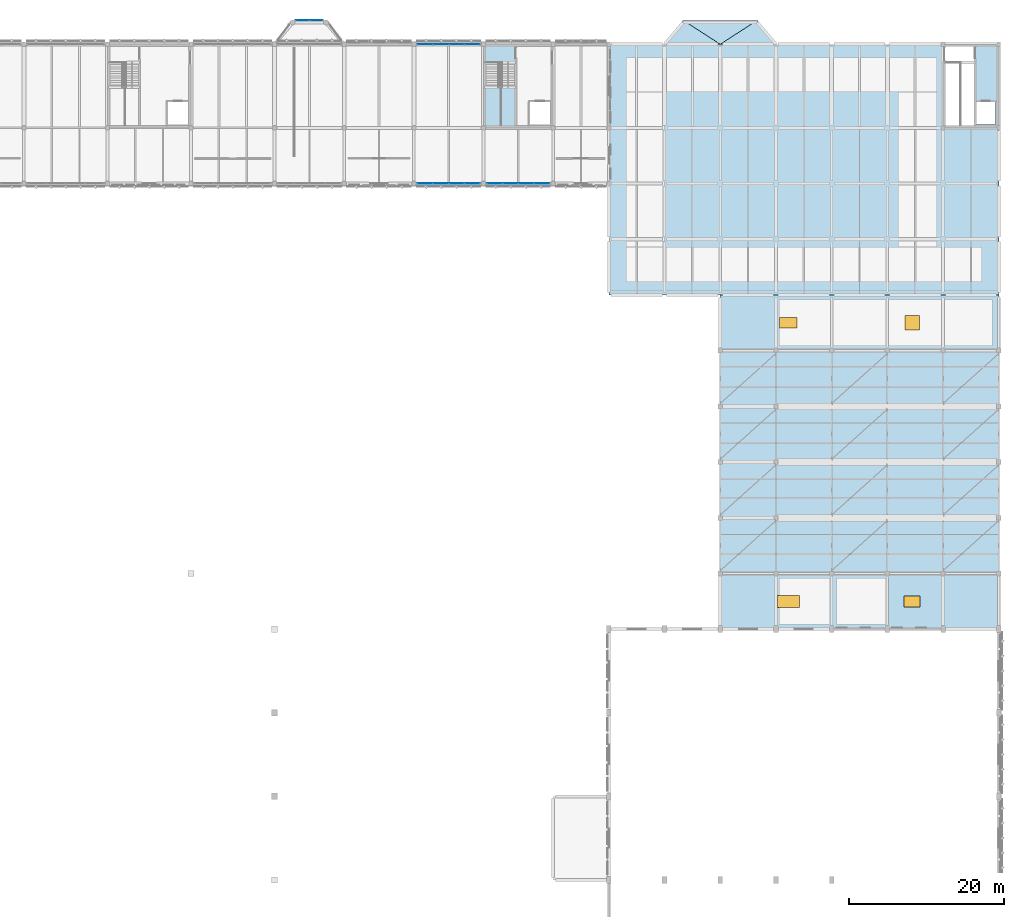
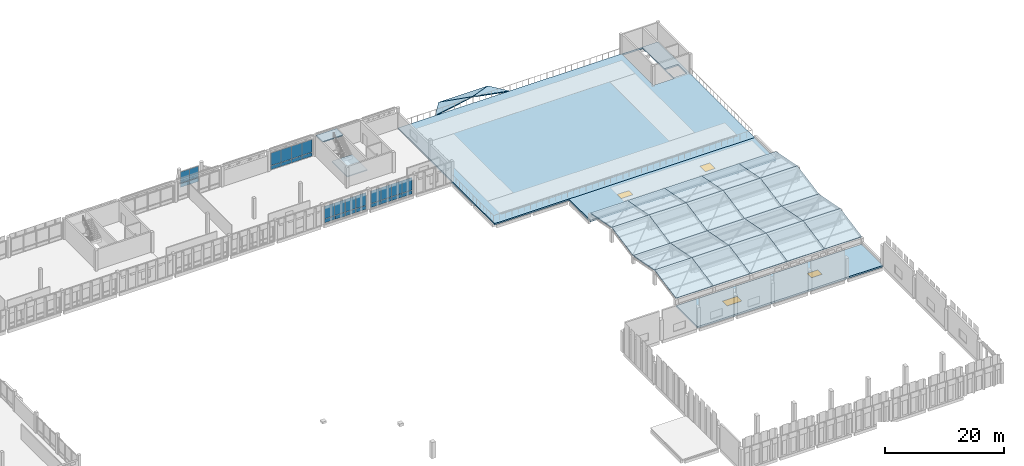
# One storey, part 52 of 72: 28 plates, 28 slabs, 4 windows, 4 openings, 5 elements without a shape of their own.
"""IFC4 building model written with IfcOpenShell, lengths in metres."""

import ifcopenshell
import ifcopenshell.guid

model = None  # the IFC model being written
_history = None  # IfcOwnerHistory: only IFC2X3 demands one
_inside = {}  # id of a spatial element -> (the spatial element, [elements in it])
_under = {}  # id of a project, library or spatial element -> (it, [spatial elements below it])
_declared = {}  # id of a project -> (the project, [libraries it declares])
_typed = {}  # id of a type object -> (the type object, [elements of that type])
_made_of = {}  # id of a material, layer set ... -> (it, [elements and type objects made of it])


def new_model(schema):
    """Start an empty IFC model of exactly this schema.

    Asked for "IFC4X3", IfcOpenShell would pick the latest addendum, in which some entities
    have other attributes; the version numbers below select the first issue.
    IFC2X3 requires an IfcOwnerHistory on every rooted entity: one is made here for all.
    """
    global model, _history
    if schema == "IFC4X3":
        model = ifcopenshell.file(schema_version=(4, 3, 0, 0))
    else:
        model = ifcopenshell.file(schema=schema)
    _inside.clear()
    _under.clear()
    _declared.clear()
    _typed.clear()
    _made_of.clear()
    _history = None
    if model.schema == "IFC2X3":
        org = make("IfcOrganization", Name="unknown")
        user = make(
            "IfcPersonAndOrganization",
            ThePerson=make("IfcPerson", FamilyName="unknown"),
            TheOrganization=org,
        )
        app = make(
            "IfcApplication",
            ApplicationDeveloper=org,
            Version="unknown",
            ApplicationFullName="unknown",
            ApplicationIdentifier="unknown",
        )
        _history = make(
            "IfcOwnerHistory",
            OwningUser=user,
            OwningApplication=app,
            ChangeAction="ADDED",
            CreationDate=0,
        )
    return model


def make(cls, **values):
    """One entity of the class cls with the attributes given. An attribute that is None is left unset."""
    return model.create_entity(
        cls, **{name: value for name, value in values.items() if value is not None}
    )


def rooted(cls, **values):
    """An entity with a GlobalId (a new one), such as an element, a storey or a relation."""
    return make(cls, GlobalId=ifcopenshell.guid.new(), OwnerHistory=_history, **values)


def si_unit(unit_type, name, prefix=None):
    """IfcSIUnit, for example si_unit("LENGTHUNIT", "METRE", prefix="MILLI")."""
    return make("IfcSIUnit", UnitType=unit_type, Prefix=prefix, Name=name)


def assignment(units):
    """IfcUnitAssignment: the units of a project."""
    return None if units is None else make("IfcUnitAssignment", Units=units)


def point(xyz):
    """IfcCartesianPoint."""
    return None if xyz is None else make("IfcCartesianPoint", Coordinates=xyz)


def direction(xyz):
    """IfcDirection."""
    return None if xyz is None else make("IfcDirection", DirectionRatios=xyz)


def frame(location, z_axis=None, x_axis=None):
    """IfcAxis2Placement3D, a coordinate frame: its origin and axes. An axis left out is left unset."""
    return make(
        "IfcAxis2Placement3D",
        Location=point(location),
        Axis=direction(z_axis),
        RefDirection=direction(x_axis),
    )


def frame_2d(location, x_axis=None):
    """IfcAxis2Placement2D, a coordinate frame in the plane: its origin and x axis."""
    return make(
        "IfcAxis2Placement2D", Location=point(location), RefDirection=direction(x_axis)
    )


def origin():
    """The frame at (0, 0, 0) with its axes left unset."""
    return frame((0.0, 0.0, 0.0))


def origin_2d():
    """The frame at (0, 0) in the plane with its x axis left unset."""
    return frame_2d((0.0, 0.0))


def place(relative_to, where):
    """IfcLocalPlacement: puts the frame where relative to a parent placement (None: the world)."""
    return make(
        "IfcLocalPlacement", PlacementRelTo=relative_to, RelativePlacement=where
    )


def context(
    kind, dimensions, precision=None, world=None, true_north=None, identifier=None
):
    """IfcGeometricRepresentationContext, for example the 3D "Model" context."""
    return make(
        "IfcGeometricRepresentationContext",
        ContextIdentifier=identifier,
        ContextType=kind,
        CoordinateSpaceDimension=dimensions,
        Precision=precision,
        WorldCoordinateSystem=world,
        TrueNorth=true_north,
    )


def subcontext(parent, identifier, kind, view, scale=None):
    """IfcGeometricRepresentationSubContext, for example "Body" below "Model"."""
    return make(
        "IfcGeometricRepresentationSubContext",
        ContextIdentifier=identifier,
        ContextType=kind,
        ParentContext=parent,
        TargetScale=scale,
        TargetView=view,
    )


def project(units=None, contexts=None):
    """IfcProject with its units and contexts."""
    return rooted(
        "IfcProject",
        Name="project",
        RepresentationContexts=contexts,
        UnitsInContext=assignment(units),
    )


def spatial(cls, under=None, at=None, **own):
    """A site, building, storey or space (cls), placed at a placement, below another one or the project."""
    s = rooted(cls, ObjectPlacement=at, **own)
    if under is not None:
        _under.setdefault(under.id(), (under, []))[1].append(s)
    return s


def polyline(points):
    """IfcPolyline through the points."""
    return make("IfcPolyline", Points=[point(p) for p in points])


def profile(cls, at=None, kind="AREA", **sizes):
    """A parametric profile (cls). Its sizes go by their IFC names, for example OverallWidth=200.0."""
    return make(cls, ProfileType=kind, Position=at, **sizes)


def rectangle(**sizes):
    """IfcRectangleProfileDef."""
    return profile("IfcRectangleProfileDef", **sizes)


def outline(outer, holes=None, kind="AREA"):
    """IfcArbitraryClosedProfileDef: a profile drawn as a closed curve; with holes, ...WithVoids."""
    if holes is None:
        return make("IfcArbitraryClosedProfileDef", ProfileType=kind, OuterCurve=outer)
    return make(
        "IfcArbitraryProfileDefWithVoids",
        ProfileType=kind,
        OuterCurve=outer,
        InnerCurves=holes,
    )


def extrude(swept, where, along, depth):
    """IfcExtrudedAreaSolid: the profile swept, set in the frame where, extruded along a direction by depth."""
    return make(
        "IfcExtrudedAreaSolid",
        SweptArea=swept,
        Position=where,
        ExtrudedDirection=direction(along),
        Depth=depth,
    )


def shape(context_of_items, identifier, shape_type, items):
    """IfcShapeRepresentation: the items that make up one representation, for example the "Body"."""
    return make(
        "IfcShapeRepresentation",
        ContextOfItems=context_of_items,
        RepresentationIdentifier=identifier,
        RepresentationType=shape_type,
        Items=items,
    )


def material(Name=None, Category=None):
    """IfcMaterial."""
    return make("IfcMaterial", Name=Name, Category=Category)


def layer(
    of_material, thickness, ventilated=None, Name=None, Category=None, Priority=None
):
    """IfcMaterialLayer: one layer of a wall or slab, of a material (None: an air gap)."""
    return make(
        "IfcMaterialLayer",
        Material=of_material,
        LayerThickness=thickness,
        IsVentilated=ventilated,
        Name=Name,
        Category=Category,
        Priority=Priority,
    )


def layer_set(layers, Name=None):
    """IfcMaterialLayerSet."""
    return make("IfcMaterialLayerSet", MaterialLayers=layers, LayerSetName=Name)


def made_of(thing, what):
    """Note that an element or type object is made of a material, layer set ...; save() writes the relation."""
    if what is not None:
        _made_of.setdefault(what.id(), (what, []))[1].append(thing)
    return thing


def type_object(cls, material=None, **own):
    """A type object (cls), such as IfcWallType, which elements share."""
    return made_of(rooted(cls, **own), material)


def element(
    cls,
    number,
    at=None,
    inside=None,
    cuts=None,
    type_object=None,
    material=None,
    context=None,
    identifier="Body",
    shape_type=None,
    held_by="IfcProductDefinitionShape",
    body=None,
    shapes=None,
    **own,
):
    """One element of the class cls, such as IfcWall. Its Tag is "e" and its number.

    at: its placement. inside: the storey or other place that contains it. cuts: it is an
    opening in that element (IfcRelVoidsElement). A single representation is given by context,
    identifier, shape_type and body (its items); several are given by shapes. held_by: the class
    of the entity that holds the representations. save() writes the other relations.
    """
    e = rooted(cls, Tag="e%d" % number, ObjectPlacement=at, **own)
    if body is not None:
        shapes = [shape(context, identifier, shape_type, body)]
    if shapes is not None:
        e.Representation = make(held_by, Representations=shapes)
    if inside is not None:
        _inside.setdefault(inside.id(), (inside, []))[1].append(e)
    if cuts is not None:
        rooted(
            "IfcRelVoidsElement", RelatingBuildingElement=cuts, RelatedOpeningElement=e
        )
    if type_object is not None:
        _typed.setdefault(type_object.id(), (type_object, []))[1].append(e)
    return made_of(e, material)


def fill(opening, filler):
    """IfcRelFillsElement: the door or window that sits in an opening."""
    return rooted(
        "IfcRelFillsElement",
        RelatingOpeningElement=opening,
        RelatedBuildingElement=filler,
    )


def aggregate(whole, parts):
    """IfcRelAggregates: a whole, such as a stair, and the parts it consists of."""
    return rooted("IfcRelAggregates", RelatingObject=whole, RelatedObjects=parts)


def save(model, path):
    """Write the relations noted so far, then the file.

    IfcRelAggregates (storeys below a building ...), IfcRelContainedInSpatialStructure (elements
    in a storey), IfcRelDefinesByType, IfcRelAssociatesMaterial and IfcRelDeclares: one each for
    every whole, place, type object, material and project.
    """
    for whole, parts in _under.values():
        aggregate(whole, parts)
    for where, things in _inside.values():
        rooted(
            "IfcRelContainedInSpatialStructure",
            RelatedElements=things,
            RelatingStructure=where,
        )
    for kind, things in _typed.values():
        rooted("IfcRelDefinesByType", RelatedObjects=things, RelatingType=kind)
    for what, things in _made_of.values():
        rooted("IfcRelAssociatesMaterial", RelatedObjects=things, RelatingMaterial=what)
    for by, libraries in _declared.values():
        rooted("IfcRelDeclares", RelatingContext=by, RelatedDefinitions=libraries)
    model.write(path)


model = new_model("IFC4")

# Units and contexts
model_context = context("Model", 3, precision=1e-05, world=origin(), true_north=direction((0.0, 1.0)))
body_context = subcontext(model_context, "Body", "Model", "MODEL_VIEW")
ifc_project = project(units=[si_unit("LENGTHUNIT", "METRE"), si_unit("AREAUNIT", "SQUARE_METRE"), si_unit("VOLUMEUNIT", "CUBIC_METRE"), si_unit("PLANEANGLEUNIT", "RADIAN"), si_unit("MASSUNIT", "GRAM", prefix="KILO")], contexts=[model_context])

# Site, building, storey
site_placement = place(None, origin())
site = spatial("IfcSite", under=ifc_project, at=site_placement, CompositionType="ELEMENT")
building_placement = place(site_placement, origin())
building = spatial("IfcBuilding", under=site, at=building_placement, Name="Lusvemor Sports Hall", CompositionType="ELEMENT")
storey_placement = place(building_placement, frame((0.0, 0.0, 15.0)))
storey = spatial("IfcBuildingStorey", under=building, at=storey_placement, Name="L03", CompositionType="ELEMENT", Elevation=15.0)

# Curtain wall, plates
ifc_material_1 = material(Name="Thermally broken bronze-anodized aluminium", Category="aluminium")
curtain_wall_type_1 = type_object("IfcCurtainWallType", Name="CW_WING_B", PredefinedType="NOTDEFINED", material=ifc_material_1)
curtain_wall_1_placement = place(storey_placement, origin())
curtain_wall_1 = element("IfcCurtainWall", 1, at=curtain_wall_1_placement, inside=storey, type_object=curtain_wall_type_1, Name="Curtain Wall CW-L03-N-1-9", PredefinedType="NOTDEFINED")
ifc_material_2 = material(Name="Solar-control laminated double glazing", Category="glass")
ifc_layer_1 = layer(ifc_material_2, 0.028076171875)
ifc_layer_set_1 = layer_set([ifc_layer_1], Name="Solar-control laminated double glazing")
plate_type_1 = type_object("IfcPlateType", Name="CW_PAN_GLZ_28", PredefinedType="CURTAIN_PANEL", material=ifc_layer_set_1)
plate_1_placement = place(storey_placement, frame((95.05615234375, 115.199951171875, 0.8798828125), z_axis=(0.0, 0.0, 1.0), x_axis=(1.0, 0.0, 0.0)))
plate_1 = element("IfcPlate", 2, at=plate_1_placement, type_object=plate_type_1, Name="CW02 panel 1.2", PredefinedType="CURTAIN_PANEL", context=body_context, shape_type="SweptSolid", body=[
    extrude(rectangle(XDim=1.9423828125, YDim=0.028076171875, at=origin_2d()), origin(), (0.0, 0.0, 1.0), 2.580078125),
])
plate_2_placement = place(storey_placement, frame((97.080078125, 115.199951171875, 0.8798828125), z_axis=(0.0, 0.0, 1.0), x_axis=(1.0, 0.0, 0.0)))
plate_2 = element("IfcPlate", 3, at=plate_2_placement, type_object=plate_type_1, Name="CW02 panel 2.2", PredefinedType="CURTAIN_PANEL", context=body_context, shape_type="SweptSolid", body=[
    extrude(rectangle(XDim=1.97509765625, YDim=0.028076171875, at=origin_2d()), origin(), (0.0, 0.0, 1.0), 2.580078125),
])
plate_3_placement = place(storey_placement, frame((99.1201171875, 115.199951171875, 0.8798828125), z_axis=(0.0, 0.0, 1.0), x_axis=(1.0, 0.0, 0.0)))
plate_3 = element("IfcPlate", 4, at=plate_3_placement, type_object=plate_type_1, Name="CW02 panel 3.2", PredefinedType="CURTAIN_PANEL", context=body_context, shape_type="SweptSolid", body=[
    extrude(rectangle(XDim=1.97509765625, YDim=0.028076171875, at=origin_2d()), origin(), (0.0, 0.0, 1.0), 2.580078125),
])
plate_4_placement = place(storey_placement, frame((101.143798828125, 115.199951171875, 0.8798828125), z_axis=(0.0, 0.0, 1.0), x_axis=(1.0, 0.0, 0.0)))
plate_4 = element("IfcPlate", 5, at=plate_4_placement, type_object=plate_type_1, Name="CW02 panel 4.2", PredefinedType="CURTAIN_PANEL", context=body_context, shape_type="SweptSolid", body=[
    extrude(rectangle(XDim=1.9423828125, YDim=0.028076171875, at=origin_2d()), origin(), (0.0, 0.0, 1.0), 2.580078125),
])

curtain_wall_2_placement = place(storey_placement, origin())
curtain_wall_2 = element("IfcCurtainWall", 6, at=curtain_wall_2_placement, inside=storey, type_object=curtain_wall_type_1, Name="Curtain Wall CW-L03-S-3-7", PredefinedType="NOTDEFINED")
plate_5_placement = place(storey_placement, frame((101.143798828125, 97.199951171875, 0.8798828125), z_axis=(0.0, 0.0, 1.0), x_axis=(-1.0, 0.0, 0.0)))
plate_5 = element("IfcPlate", 7, at=plate_5_placement, type_object=plate_type_1, Name="CW02 panel 1.2", PredefinedType="CURTAIN_PANEL", context=body_context, shape_type="SweptSolid", body=[
    extrude(rectangle(XDim=1.9423828125, YDim=0.028076171875, at=origin_2d()), origin(), (0.0, 0.0, 1.0), 2.580078125),
])
plate_6_placement = place(storey_placement, frame((99.1201171875, 97.199951171875, 0.8798828125), z_axis=(0.0, 0.0, 1.0), x_axis=(-1.0, 0.0, 0.0)))
plate_6 = element("IfcPlate", 8, at=plate_6_placement, type_object=plate_type_1, Name="CW02 panel 2.2", PredefinedType="CURTAIN_PANEL", context=body_context, shape_type="SweptSolid", body=[
    extrude(rectangle(XDim=1.97509765625, YDim=0.028076171875, at=origin_2d()), origin(), (0.0, 0.0, 1.0), 2.580078125),
])
plate_7_placement = place(storey_placement, frame((97.080078125, 97.199951171875, 0.8798828125), z_axis=(0.0, 0.0, 1.0), x_axis=(-1.0, 0.0, 0.0)))
plate_7 = element("IfcPlate", 9, at=plate_7_placement, type_object=plate_type_1, Name="CW02 panel 3.2", PredefinedType="CURTAIN_PANEL", context=body_context, shape_type="SweptSolid", body=[
    extrude(rectangle(XDim=1.97509765625, YDim=0.028076171875, at=origin_2d()), origin(), (0.0, 0.0, 1.0), 2.580078125),
])
plate_8_placement = place(storey_placement, frame((95.05615234375, 97.199951171875, 0.8798828125), z_axis=(0.0, 0.0, 1.0), x_axis=(-1.0, 0.0, 0.0)))
plate_8 = element("IfcPlate", 10, at=plate_8_placement, type_object=plate_type_1, Name="CW02 panel 4.2", PredefinedType="CURTAIN_PANEL", context=body_context, shape_type="SweptSolid", body=[
    extrude(rectangle(XDim=1.9423828125, YDim=0.028076171875, at=origin_2d()), origin(), (0.0, 0.0, 1.0), 2.580078125),
])

curtain_wall_3_placement = place(storey_placement, origin())
curtain_wall_3 = element("IfcCurtainWall", 11, at=curtain_wall_3_placement, inside=storey, type_object=curtain_wall_type_1, Name="Curtain Wall CW-L03-S-3-8", PredefinedType="NOTDEFINED")
plate_9_placement = place(storey_placement, frame((110.143798828125, 97.199951171875, 0.8798828125), z_axis=(0.0, 0.0, 1.0), x_axis=(-1.0, 0.0, 0.0)))
plate_9 = element("IfcPlate", 12, at=plate_9_placement, type_object=plate_type_1, Name="CW02 panel 1.2", PredefinedType="CURTAIN_PANEL", context=body_context, shape_type="SweptSolid", body=[
    extrude(rectangle(XDim=1.9423828125, YDim=0.028076171875, at=origin_2d()), origin(), (0.0, 0.0, 1.0), 2.580078125),
])
plate_10_placement = place(storey_placement, frame((108.1201171875, 97.199951171875, 0.8798828125), z_axis=(0.0, 0.0, 1.0), x_axis=(-1.0, 0.0, 0.0)))
plate_10 = element("IfcPlate", 13, at=plate_10_placement, type_object=plate_type_1, Name="CW02 panel 2.2", PredefinedType="CURTAIN_PANEL", context=body_context, shape_type="SweptSolid", body=[
    extrude(rectangle(XDim=1.97509765625, YDim=0.028076171875, at=origin_2d()), origin(), (0.0, 0.0, 1.0), 2.580078125),
])
plate_11_placement = place(storey_placement, frame((106.080078125, 97.199951171875, 0.8798828125), z_axis=(0.0, 0.0, 1.0), x_axis=(-1.0, 0.0, 0.0)))
plate_11 = element("IfcPlate", 14, at=plate_11_placement, type_object=plate_type_1, Name="CW02 panel 3.2", PredefinedType="CURTAIN_PANEL", context=body_context, shape_type="SweptSolid", body=[
    extrude(rectangle(XDim=1.97509765625, YDim=0.028076171875, at=origin_2d()), origin(), (0.0, 0.0, 1.0), 2.580078125),
])
plate_12_placement = place(storey_placement, frame((104.05615234375, 97.199951171875, 0.8798828125), z_axis=(0.0, 0.0, 1.0), x_axis=(-1.0, 0.0, 0.0)))
plate_12 = element("IfcPlate", 15, at=plate_12_placement, type_object=plate_type_1, Name="CW02 panel 4.2", PredefinedType="CURTAIN_PANEL", context=body_context, shape_type="SweptSolid", body=[
    extrude(rectangle(XDim=1.9423828125, YDim=0.028076171875, at=origin_2d()), origin(), (0.0, 0.0, 1.0), 2.580078125),
])

ifc_material_3 = material(Name="Thermally broken bronze-anodized aluminium", Category="aluminium")
curtain_wall_type_2 = type_object("IfcCurtainWallType", Name="CW_FOYER_A", PredefinedType="NOTDEFINED", material=ifc_material_3)
curtain_wall_4_placement = place(storey_placement, origin())
curtain_wall_4 = element("IfcCurtainWall", 16, at=curtain_wall_4_placement, inside=storey, type_object=curtain_wall_type_2, Name="Curtain Wall CW-BOW-N2-L03-M", PredefinedType="NOTDEFINED")
plate_13_placement = place(storey_placement, frame((79.21240234375, 118.300048828125, 0.882568359375), z_axis=(0.0, 0.0, 1.0), x_axis=(1.0, 0.0, 0.0)))
plate_13 = element("IfcPlate", 17, at=plate_13_placement, type_object=plate_type_1, Name="CW01 panel 1.2", PredefinedType="CURTAIN_PANEL", context=body_context, shape_type="SweptSolid", body=[
    extrude(rectangle(XDim=1.705078125, YDim=0.028076171875, at=origin_2d()), origin(), (0.0, 0.0, 1.0), 2.33251953125),
])
plate_14_placement = place(storey_placement, frame((80.987548828125, 118.300048828125, 0.882568359375), z_axis=(0.0, 0.0, 1.0), x_axis=(1.0, 0.0, 0.0)))
plate_14 = element("IfcPlate", 18, at=plate_14_placement, type_object=plate_type_1, Name="CW01 panel 2.2", PredefinedType="CURTAIN_PANEL", context=body_context, shape_type="SweptSolid", body=[
    extrude(rectangle(XDim=1.705078125, YDim=0.028076171875, at=origin_2d()), origin(), (0.0, 0.0, 1.0), 2.33251953125),
])

# Plate
ifc_material_4 = material(Name="Emerald polychrome glazed ceramic cladding on Concrete C40/50 backing", Category="concrete")
ifc_layer_2 = layer(ifc_material_4, 0.048095703125)
ifc_layer_set_2 = layer_set([ifc_layer_2], Name="Emerald polychrome glazed ceramic cladding on Concrete C40/50 backing")
plate_type_2 = type_object("IfcPlateType", Name="CW_PAN_SPN_48", PredefinedType="CURTAIN_PANEL", material=ifc_layer_set_2)
plate_15_placement = place(storey_placement, frame((95.05615234375, 115.199951171875, 0.06005859375), z_axis=(0.0, 0.0, 1.0), x_axis=(1.0, 0.0, 0.0)))
plate_15 = element("IfcPlate", 19, at=plate_15_placement, type_object=plate_type_2, Name="CW02 panel 1.1", PredefinedType="CURTAIN_PANEL", context=body_context, shape_type="SweptSolid", body=[
    extrude(rectangle(XDim=1.9423828125, YDim=0.048095703125, at=origin_2d()), origin(), (0.0, 0.0, 1.0), 0.760009765625),
])

plate_16_placement = place(storey_placement, frame((97.080078125, 115.199951171875, 0.06005859375), z_axis=(0.0, 0.0, 1.0), x_axis=(1.0, 0.0, 0.0)))
plate_16 = element("IfcPlate", 20, at=plate_16_placement, type_object=plate_type_2, Name="CW02 panel 2.1", PredefinedType="CURTAIN_PANEL", context=body_context, shape_type="SweptSolid", body=[
    extrude(rectangle(XDim=1.97509765625, YDim=0.048095703125, at=origin_2d()), origin(), (0.0, 0.0, 1.0), 0.760009765625),
])

plate_17_placement = place(storey_placement, frame((99.1201171875, 115.199951171875, 0.06005859375), z_axis=(0.0, 0.0, 1.0), x_axis=(1.0, 0.0, 0.0)))
plate_17 = element("IfcPlate", 21, at=plate_17_placement, type_object=plate_type_2, Name="CW02 panel 3.1", PredefinedType="CURTAIN_PANEL", context=body_context, shape_type="SweptSolid", body=[
    extrude(rectangle(XDim=1.97509765625, YDim=0.048095703125, at=origin_2d()), origin(), (0.0, 0.0, 1.0), 0.760009765625),
])

plate_18_placement = place(storey_placement, frame((101.143798828125, 115.199951171875, 0.06005859375), z_axis=(0.0, 0.0, 1.0), x_axis=(1.0, 0.0, 0.0)))
plate_18 = element("IfcPlate", 22, at=plate_18_placement, type_object=plate_type_2, Name="CW02 panel 4.1", PredefinedType="CURTAIN_PANEL", context=body_context, shape_type="SweptSolid", body=[
    extrude(rectangle(XDim=1.9423828125, YDim=0.048095703125, at=origin_2d()), origin(), (0.0, 0.0, 1.0), 0.760009765625),
])

aggregate(curtain_wall_1, [plate_15, plate_1, plate_16, plate_2, plate_17, plate_3, plate_18, plate_4])

plate_19_placement = place(storey_placement, frame((101.143798828125, 97.199951171875, 0.06005859375), z_axis=(0.0, 0.0, 1.0), x_axis=(-1.0, 0.0, 0.0)))
plate_19 = element("IfcPlate", 23, at=plate_19_placement, type_object=plate_type_2, Name="CW02 panel 1.1", PredefinedType="CURTAIN_PANEL", context=body_context, shape_type="SweptSolid", body=[
    extrude(rectangle(XDim=1.9423828125, YDim=0.048095703125, at=origin_2d()), origin(), (0.0, 0.0, 1.0), 0.760009765625),
])

plate_20_placement = place(storey_placement, frame((99.1201171875, 97.199951171875, 0.06005859375), z_axis=(0.0, 0.0, 1.0), x_axis=(-1.0, 0.0, 0.0)))
plate_20 = element("IfcPlate", 24, at=plate_20_placement, type_object=plate_type_2, Name="CW02 panel 2.1", PredefinedType="CURTAIN_PANEL", context=body_context, shape_type="SweptSolid", body=[
    extrude(rectangle(XDim=1.97509765625, YDim=0.048095703125, at=origin_2d()), origin(), (0.0, 0.0, 1.0), 0.760009765625),
])

plate_21_placement = place(storey_placement, frame((97.080078125, 97.199951171875, 0.06005859375), z_axis=(0.0, 0.0, 1.0), x_axis=(-1.0, 0.0, 0.0)))
plate_21 = element("IfcPlate", 25, at=plate_21_placement, type_object=plate_type_2, Name="CW02 panel 3.1", PredefinedType="CURTAIN_PANEL", context=body_context, shape_type="SweptSolid", body=[
    extrude(rectangle(XDim=1.97509765625, YDim=0.048095703125, at=origin_2d()), origin(), (0.0, 0.0, 1.0), 0.760009765625),
])

plate_22_placement = place(storey_placement, frame((95.05615234375, 97.199951171875, 0.06005859375), z_axis=(0.0, 0.0, 1.0), x_axis=(-1.0, 0.0, 0.0)))
plate_22 = element("IfcPlate", 26, at=plate_22_placement, type_object=plate_type_2, Name="CW02 panel 4.1", PredefinedType="CURTAIN_PANEL", context=body_context, shape_type="SweptSolid", body=[
    extrude(rectangle(XDim=1.9423828125, YDim=0.048095703125, at=origin_2d()), origin(), (0.0, 0.0, 1.0), 0.760009765625),
])

aggregate(curtain_wall_2, [plate_19, plate_5, plate_20, plate_6, plate_21, plate_7, plate_22, plate_8])

plate_23_placement = place(storey_placement, frame((110.143798828125, 97.199951171875, 0.06005859375), z_axis=(0.0, 0.0, 1.0), x_axis=(-1.0, 0.0, 0.0)))
plate_23 = element("IfcPlate", 27, at=plate_23_placement, type_object=plate_type_2, Name="CW02 panel 1.1", PredefinedType="CURTAIN_PANEL", context=body_context, shape_type="SweptSolid", body=[
    extrude(rectangle(XDim=1.9423828125, YDim=0.048095703125, at=origin_2d()), origin(), (0.0, 0.0, 1.0), 0.760009765625),
])

plate_24_placement = place(storey_placement, frame((108.1201171875, 97.199951171875, 0.06005859375), z_axis=(0.0, 0.0, 1.0), x_axis=(-1.0, 0.0, 0.0)))
plate_24 = element("IfcPlate", 28, at=plate_24_placement, type_object=plate_type_2, Name="CW02 panel 2.1", PredefinedType="CURTAIN_PANEL", context=body_context, shape_type="SweptSolid", body=[
    extrude(rectangle(XDim=1.97509765625, YDim=0.048095703125, at=origin_2d()), origin(), (0.0, 0.0, 1.0), 0.760009765625),
])

plate_25_placement = place(storey_placement, frame((106.080078125, 97.199951171875, 0.06005859375), z_axis=(0.0, 0.0, 1.0), x_axis=(-1.0, 0.0, 0.0)))
plate_25 = element("IfcPlate", 29, at=plate_25_placement, type_object=plate_type_2, Name="CW02 panel 3.1", PredefinedType="CURTAIN_PANEL", context=body_context, shape_type="SweptSolid", body=[
    extrude(rectangle(XDim=1.97509765625, YDim=0.048095703125, at=origin_2d()), origin(), (0.0, 0.0, 1.0), 0.760009765625),
])

plate_26_placement = place(storey_placement, frame((104.05615234375, 97.199951171875, 0.06005859375), z_axis=(0.0, 0.0, 1.0), x_axis=(-1.0, 0.0, 0.0)))
plate_26 = element("IfcPlate", 30, at=plate_26_placement, type_object=plate_type_2, Name="CW02 panel 4.1", PredefinedType="CURTAIN_PANEL", context=body_context, shape_type="SweptSolid", body=[
    extrude(rectangle(XDim=1.9423828125, YDim=0.048095703125, at=origin_2d()), origin(), (0.0, 0.0, 1.0), 0.760009765625),
])

aggregate(curtain_wall_3, [plate_23, plate_9, plate_24, plate_10, plate_25, plate_11, plate_26, plate_12])

plate_27_placement = place(storey_placement, frame((79.21240234375, 118.300048828125, 0.06494140625), z_axis=(0.0, 0.0, 1.0), x_axis=(1.0, 0.0, 0.0)))
plate_27 = element("IfcPlate", 31, at=plate_27_placement, type_object=plate_type_2, Name="CW01 panel 1.1", PredefinedType="CURTAIN_PANEL", context=body_context, shape_type="SweptSolid", body=[
    extrude(rectangle(XDim=1.705078125, YDim=0.048095703125, at=origin_2d()), origin(), (0.0, 0.0, 1.0), 0.75244140625),
])

plate_28_placement = place(storey_placement, frame((80.987548828125, 118.300048828125, 0.06494140625), z_axis=(0.0, 0.0, 1.0), x_axis=(1.0, 0.0, 0.0)))
plate_28 = element("IfcPlate", 32, at=plate_28_placement, type_object=plate_type_2, Name="CW01 panel 2.1", PredefinedType="CURTAIN_PANEL", context=body_context, shape_type="SweptSolid", body=[
    extrude(rectangle(XDim=1.705078125, YDim=0.048095703125, at=origin_2d()), origin(), (0.0, 0.0, 1.0), 0.75244140625),
])

aggregate(curtain_wall_4, [plate_27, plate_13, plate_28, plate_14])

# Slabs
ifc_material_5 = material(Name="Concrete C40/50", Category="concrete")
ifc_layer_3 = layer(ifc_material_5, 0.169921875)
ifc_layer_set_3 = layer_set([ifc_layer_3], Name="Concrete C40/50")
slab_type_1 = type_object("IfcSlabType", Name="ROOF_LANTERN_170", PredefinedType="ROOF", material=ifc_layer_set_3)
slab_1_placement = place(storey_placement, frame((126.0, 115.199951171875, 0.0), z_axis=(-0.182454920477, 0.141245225098, 0.973015924012), x_axis=(0.612145560658, 0.790745099616, 0.0)))
element("IfcSlab", 33, at=slab_1_placement, inside=storey, type_object=slab_type_1, Name="Art Nouveau Faceted Pavilion Roof BOW-N3-1", PredefinedType="ROOF", context=body_context, shape_type="SweptSolid", body=[
    extrude(outline(polyline([(0.0, 0.0), (3.9204765957499976, 2.220446049250313e-16), (4.407418146814067, -5.851215757253359), (0.0, 0.0)])), origin(), (0.0, 0.0, -1.0), 0.169921875),
])
slab_2_placement = place(storey_placement, frame((128.39990234375, 118.300048828125, 0.0), z_axis=(0.0, 0.399280471996, 0.916828830634), x_axis=(1.0, 0.0, 0.0)))
element("IfcSlab", 34, at=slab_2_placement, inside=storey, type_object=slab_type_1, Name="Art Nouveau Faceted Pavilion Roof BOW-N3-2", PredefinedType="ROOF", context=body_context, shape_type="SweptSolid", body=[
    extrude(outline(polyline([(0.0, 0.0), (9.60009765625, 0.0), (4.800048828125, -3.38132653846068), (0.0, 0.0)])), origin(), (0.0, 0.0, -1.0), 0.169921875),
])
slab_3_placement = place(storey_placement, frame((138.0, 118.300048828125, 0.0), z_axis=(0.182454920477, 0.141245225098, 0.973015924012), x_axis=(0.612145560658, -0.790745099616, 0.0)))
element("IfcSlab", 35, at=slab_3_placement, inside=storey, type_object=slab_type_1, Name="Art Nouveau Faceted Pavilion Roof BOW-N3-3", PredefinedType="ROOF", context=body_context, shape_type="SweptSolid", body=[
    extrude(outline(polyline([(0.0, 0.0), (3.9204765957499976, -2.220446049250313e-16), (-0.4869415510640698, -5.851215757253359), (0.0, 0.0)])), origin(), (0.0, 0.0, -1.0), 0.169921875),
])
ifc_material_6 = material(Name="Concrete C40/50", Category="concrete")
ifc_layer_4 = layer(ifc_material_6, 0.18505859375)
ifc_layer_set_4 = layer_set([ifc_layer_4], Name="Concrete C40/50")
slab_type_2 = type_object("IfcSlabType", Name="ROOF_SAWTOOTH_185", PredefinedType="ROOF", material=ifc_layer_set_4)
slab_4_placement = place(storey_placement, frame((133.199951171875, 46.800048828125, 1.534912109375), z_axis=(0.0, -0.190890149825, 0.98161140514), x_axis=(1.0, 0.0, 0.0)))
element("IfcSlab", 36, at=slab_4_placement, inside=storey, type_object=slab_type_2, Name="Sawtooth Roof Slab 15-1", PredefinedType="ROOF", context=body_context, shape_type="SweptSolid", body=[
    extrude(outline(polyline([(0.0, 0.0), (7.199951171875, 0.0), (7.199951171875, 7.334828358938732), (0.0, 7.334828358938732), (0.0, 0.0)])), origin(), (0.0, 0.0, -1.0), 0.18505859375),
])
slab_5_placement = place(storey_placement, frame((140.39990234375, 46.800048828125, 1.534912109375), z_axis=(0.0, -0.190890149825, 0.98161140514), x_axis=(1.0, 0.0, 0.0)))
element("IfcSlab", 37, at=slab_5_placement, inside=storey, type_object=slab_type_2, Name="Sawtooth Roof Slab 16-1", PredefinedType="ROOF", context=body_context, shape_type="SweptSolid", body=[
    extrude(outline(polyline([(0.0, 0.0), (7.2001953125, 0.0), (7.2001953125, 7.334828358938731), (0.0, 7.334828358938731), (0.0, 0.0)])), origin(), (0.0, 0.0, -1.0), 0.18505859375),
])
for number, where, z_axis, x_axis, name in (
    (38, (147.60009765625, 46.800048828125, 1.534912109375), (0.0, -0.190890149825, 0.98161140514), (1.0, 0.0, 0.0), "Sawtooth Roof Slab 17-1"),
    (39, (154.800048828125, 46.800048828125, 1.534912109375), (0.0, -0.190890149825, 0.98161140514), (1.0, 0.0, 0.0), "Sawtooth Roof Slab 18-1"),
    (40, (162.0, 46.800048828125, 1.534912109375), (0.0, -0.190890149825, 0.98161140514), (1.0, 0.0, 0.0), "Sawtooth Roof Slab 19-1"),
    (41, (133.199951171875, 54.0, 2.93505859375), (0.0, 0.190890149825, 0.98161140514), (1.0, 0.0, 0.0), "Sawtooth Roof Slab 15-2"),
):
    element("IfcSlab", number, at=place(storey_placement, frame(where, z_axis=z_axis, x_axis=x_axis)), inside=storey, type_object=slab_type_2, Name=name, PredefinedType="ROOF", context=body_context, shape_type="SweptSolid", body=[
        extrude(outline(polyline([(0.0, 0.0), (7.199951171875, 0.0), (7.199951171875, 7.334828358938732), (0.0, 7.334828358938732), (0.0, 0.0)])), origin(), (0.0, 0.0, -1.0), 0.18505859375),
    ])
slab_6_placement = place(storey_placement, frame((140.39990234375, 54.0, 2.93505859375), z_axis=(0.0, 0.190890149825, 0.98161140514), x_axis=(1.0, 0.0, 0.0)))
element("IfcSlab", 42, at=slab_6_placement, inside=storey, type_object=slab_type_2, Name="Sawtooth Roof Slab 16-2", PredefinedType="ROOF", context=body_context, shape_type="SweptSolid", body=[
    extrude(outline(polyline([(0.0, 0.0), (7.2001953125, 0.0), (7.2001953125, 7.334828358938731), (0.0, 7.334828358938731), (0.0, 0.0)])), origin(), (0.0, 0.0, -1.0), 0.18505859375),
])
for number, where, z_axis, x_axis, name in (
    (43, (147.60009765625, 54.0, 2.93505859375), (0.0, 0.190890149825, 0.98161140514), (1.0, 0.0, 0.0), "Sawtooth Roof Slab 17-2"),
    (44, (154.800048828125, 54.0, 2.93505859375), (0.0, 0.190890149825, 0.98161140514), (1.0, 0.0, 0.0), "Sawtooth Roof Slab 18-2"),
    (45, (162.0, 54.0, 2.93505859375), (0.0, 0.190890149825, 0.98161140514), (1.0, 0.0, 0.0), "Sawtooth Roof Slab 19-2"),
    (46, (133.199951171875, 61.199951171875, 1.534912109375), (0.0, -0.190890149825, 0.98161140514), (1.0, 0.0, 0.0), "Sawtooth Roof Slab 15-3"),
):
    element("IfcSlab", number, at=place(storey_placement, frame(where, z_axis=z_axis, x_axis=x_axis)), inside=storey, type_object=slab_type_2, Name=name, PredefinedType="ROOF", context=body_context, shape_type="SweptSolid", body=[
        extrude(outline(polyline([(0.0, 0.0), (7.199951171875, 0.0), (7.199951171875, 7.334828358938732), (0.0, 7.334828358938732), (0.0, 0.0)])), origin(), (0.0, 0.0, -1.0), 0.18505859375),
    ])
slab_7_placement = place(storey_placement, frame((140.39990234375, 61.199951171875, 1.534912109375), z_axis=(0.0, -0.190890149825, 0.98161140514), x_axis=(1.0, 0.0, 0.0)))
element("IfcSlab", 47, at=slab_7_placement, inside=storey, type_object=slab_type_2, Name="Sawtooth Roof Slab 16-3", PredefinedType="ROOF", context=body_context, shape_type="SweptSolid", body=[
    extrude(outline(polyline([(0.0, 0.0), (7.2001953125, 0.0), (7.2001953125, 7.334828358938731), (0.0, 7.334828358938731), (0.0, 0.0)])), origin(), (0.0, 0.0, -1.0), 0.18505859375),
])
for number, where, z_axis, x_axis, name in (
    (48, (147.60009765625, 61.199951171875, 1.534912109375), (0.0, -0.190890149825, 0.98161140514), (1.0, 0.0, 0.0), "Sawtooth Roof Slab 17-3"),
    (49, (154.800048828125, 61.199951171875, 1.534912109375), (0.0, -0.190890149825, 0.98161140514), (1.0, 0.0, 0.0), "Sawtooth Roof Slab 18-3"),
    (50, (162.0, 61.199951171875, 1.534912109375), (0.0, -0.190890149825, 0.98161140514), (1.0, 0.0, 0.0), "Sawtooth Roof Slab 19-3"),
):
    element("IfcSlab", number, at=place(storey_placement, frame(where, z_axis=z_axis, x_axis=x_axis)), inside=storey, type_object=slab_type_2, Name=name, PredefinedType="ROOF", context=body_context, shape_type="SweptSolid", body=[
        extrude(outline(polyline([(0.0, 0.0), (7.199951171875, 0.0), (7.199951171875, 7.334828358938732), (0.0, 7.334828358938732), (0.0, 0.0)])), origin(), (0.0, 0.0, -1.0), 0.18505859375),
    ])
slab_8_placement = place(storey_placement, frame((133.199951171875, 68.39990234375, 2.93505859375), z_axis=(0.0, 0.190883913061, 0.981612617958), x_axis=(1.0, 0.0, 0.0)))
element("IfcSlab", 51, at=slab_8_placement, inside=storey, type_object=slab_type_2, Name="Sawtooth Roof Slab 15-4", PredefinedType="ROOF", context=body_context, shape_type="SweptSolid", body=[
    extrude(outline(polyline([(0.0, 0.0), (7.199951171875, 0.0), (7.199951171875, 7.335068010308742), (0.0, 7.335068010308742), (0.0, 0.0)])), origin(), (0.0, 0.0, -1.0), 0.18505859375),
])
slab_9_placement = place(storey_placement, frame((140.39990234375, 68.39990234375, 2.93505859375), z_axis=(0.0, 0.190883913061, 0.981612617958), x_axis=(1.0, 0.0, 0.0)))
element("IfcSlab", 52, at=slab_9_placement, inside=storey, type_object=slab_type_2, Name="Sawtooth Roof Slab 16-4", PredefinedType="ROOF", context=body_context, shape_type="SweptSolid", body=[
    extrude(outline(polyline([(0.0, 0.0), (7.2001953125, 0.0), (7.2001953125, 7.335068010308742), (0.0, 7.335068010308742), (0.0, 0.0)])), origin(), (0.0, 0.0, -1.0), 0.18505859375),
])
for number, where, z_axis, x_axis, name in (
    (53, (147.60009765625, 68.39990234375, 2.93505859375), (0.0, 0.190883913061, 0.981612617958), (1.0, 0.0, 0.0), "Sawtooth Roof Slab 17-4"),
    (54, (154.800048828125, 68.39990234375, 2.93505859375), (0.0, 0.190883913061, 0.981612617958), (1.0, 0.0, 0.0), "Sawtooth Roof Slab 18-4"),
    (55, (162.0, 68.39990234375, 2.93505859375), (0.0, 0.190883913061, 0.981612617958), (1.0, 0.0, 0.0), "Sawtooth Roof Slab 19-4"),
):
    element("IfcSlab", number, at=place(storey_placement, frame(where, z_axis=z_axis, x_axis=x_axis)), inside=storey, type_object=slab_type_2, Name=name, PredefinedType="ROOF", context=body_context, shape_type="SweptSolid", body=[
        extrude(outline(polyline([(0.0, 0.0), (7.199951171875, 0.0), (7.199951171875, 7.335068010308742), (0.0, 7.335068010308742), (0.0, 0.0)])), origin(), (0.0, 0.0, -1.0), 0.18505859375),
    ])

# Slab, openings, windows
ifc_material_7 = material(Name="Concrete C40/50", Category="concrete")
ifc_layer_5 = layer(ifc_material_7, 0.330078125)
ifc_layer_set_5 = layer_set([ifc_layer_5], Name="Concrete C40/50")
slab_type_3 = type_object("IfcSlabType", Name="ROOF_WING_275", PredefinedType="ROOF", material=ifc_layer_set_5)
slab_10_placement = place(storey_placement, frame((0.0, 0.0, -0.330078125)))
slab_10 = element("IfcSlab", 56, at=slab_10_placement, inside=storey, type_object=slab_type_3, Name="Roof Slab SLAB-ROOF-V5EL", PredefinedType="ROOF", context=body_context, shape_type="SweptSolid", body=[
    extrude(outline(polyline([(133.199951171875, 39.60009765625), (169.199951171875, 39.60009765625), (169.199951171875, 46.800048828125), (133.199951171875, 46.800048828125), (133.199951171875, 39.60009765625)])), origin(), (0.0, 0.0, 1.0), 0.330078125),
])
opening_1_placement = place(slab_10_placement, frame((142.0, 43.199951171875, 0.0)))
opening_1 = element("IfcOpeningElement", 57, at=opening_1_placement, cuts=slab_10, Name="Opening SK08", PredefinedType="OPENING", context=body_context, shape_type="SweptSolid", body=[
    extrude(rectangle(XDim=2.840087890625, YDim=1.5400390625, at=origin_2d()), origin(), (0.0, 0.0, 1.0), 0.330078125),
])
opening_2_placement = place(slab_10_placement, frame((158.0, 43.199951171875, 0.0)))
opening_2 = element("IfcOpeningElement", 58, at=opening_2_placement, cuts=slab_10, Name="Opening SK02", PredefinedType="OPENING", context=body_context, shape_type="SweptSolid", body=[
    extrude(rectangle(XDim=2.0400390625, YDim=1.43994140625, at=origin_2d()), origin(), (0.0, 0.0, 1.0), 0.330078125),
])
ifc_material_8 = material(Name="Solar-control laminated double glazing", Category="glass")
window_type_1 = type_object("IfcWindowType", Name="SKY_02", PartitioningType="SINGLE_PANEL", PredefinedType="SKYLIGHT", material=ifc_material_8)
window_1_placement = place(opening_2_placement, frame((0.0, 0.0, 0.280029296875)))
window_1 = element("IfcWindow", 59, at=window_1_placement, inside=storey, type_object=window_type_1, Name="Roof Skylight SKY-V5EL-1", OverallHeight=1.43994140625, OverallWidth=2.0400390625, PartitioningType="SINGLE_PANEL", PredefinedType="SKYLIGHT", context=body_context, shape_type="SweptSolid", body=[
    extrude(rectangle(XDim=2.0400390625, YDim=1.43994140625, at=origin_2d()), origin(), (0.0, 0.0, 1.0), 0.050048828125),
])
fill(opening_2, window_1)
ifc_material_9 = material(Name="Solar-control laminated double glazing", Category="glass")
window_type_2 = type_object("IfcWindowType", Name="SKY_08", PartitioningType="SINGLE_PANEL", PredefinedType="SKYLIGHT", material=ifc_material_9)
window_2_placement = place(opening_1_placement, frame((0.0, 0.0, 0.280029296875)))
window_2 = element("IfcWindow", 60, at=window_2_placement, inside=storey, type_object=window_type_2, Name="Roof Skylight SKY-V5EL-2", OverallHeight=1.5400390625, OverallWidth=2.840087890625, PartitioningType="SINGLE_PANEL", PredefinedType="SKYLIGHT", context=body_context, shape_type="SweptSolid", body=[
    extrude(rectangle(XDim=2.840087890625, YDim=1.5400390625, at=origin_2d()), origin(), (0.0, 0.0, 1.0), 0.050048828125),
])
fill(opening_1, window_2)

slab_11_placement = place(storey_placement, frame((0.0, 0.0, -0.330078125)))
slab_11 = element("IfcSlab", 61, at=slab_11_placement, inside=storey, type_object=slab_type_3, Name="Roof Slab SLAB-ROOF-V5NL", PredefinedType="ROOF", context=body_context, shape_type="SweptSolid", body=[
    extrude(outline(polyline([(133.199951171875, 75.60009765625), (169.199951171875, 75.60009765625), (169.199951171875, 82.800048828125), (133.199951171875, 82.800048828125), (133.199951171875, 75.60009765625)])), origin(), (0.0, 0.0, 1.0), 0.330078125),
])
opening_3_placement = place(slab_11_placement, frame((142.0, 79.199951171875, 0.0)))
opening_3 = element("IfcOpeningElement", 62, at=opening_3_placement, cuts=slab_11, Name="Opening SK06", PredefinedType="OPENING", context=body_context, shape_type="SweptSolid", body=[
    extrude(rectangle(XDim=2.239990234375, YDim=1.340087890625, at=origin_2d()), origin(), (0.0, 0.0, 1.0), 0.330078125),
])
opening_4_placement = place(slab_11_placement, frame((158.0, 79.199951171875, 0.0)))
opening_4 = element("IfcOpeningElement", 63, at=opening_4_placement, cuts=slab_11, Name="Opening SK04", PredefinedType="OPENING", context=body_context, shape_type="SweptSolid", body=[
    extrude(rectangle(XDim=1.840087890625, YDim=1.840087890625, at=origin_2d()), origin(), (0.0, 0.0, 1.0), 0.330078125),
])
ifc_material_10 = material(Name="Solar-control laminated double glazing", Category="glass")
window_type_3 = type_object("IfcWindowType", Name="SKY_04", PartitioningType="SINGLE_PANEL", PredefinedType="SKYLIGHT", material=ifc_material_10)
window_3_placement = place(opening_4_placement, frame((0.0, 0.0, 0.280029296875)))
window_3 = element("IfcWindow", 64, at=window_3_placement, inside=storey, type_object=window_type_3, Name="Roof Skylight SKY-V5NL-1", OverallHeight=1.840087890625, OverallWidth=1.840087890625, PartitioningType="SINGLE_PANEL", PredefinedType="SKYLIGHT", context=body_context, shape_type="SweptSolid", body=[
    extrude(rectangle(XDim=1.840087890625, YDim=1.840087890625, at=origin_2d()), origin(), (0.0, 0.0, 1.0), 0.050048828125),
])
fill(opening_4, window_3)
ifc_material_11 = material(Name="Solar-control laminated double glazing", Category="glass")
window_type_4 = type_object("IfcWindowType", Name="SKY_06", PartitioningType="SINGLE_PANEL", PredefinedType="SKYLIGHT", material=ifc_material_11)
window_4_placement = place(opening_3_placement, frame((0.0, 0.0, 0.280029296875)))
window_4 = element("IfcWindow", 65, at=window_4_placement, inside=storey, type_object=window_type_4, Name="Roof Skylight SKY-V5NL-2", OverallHeight=1.340087890625, OverallWidth=2.239990234375, PartitioningType="SINGLE_PANEL", PredefinedType="SKYLIGHT", context=body_context, shape_type="SweptSolid", body=[
    extrude(rectangle(XDim=2.239990234375, YDim=1.340087890625, at=origin_2d()), origin(), (0.0, 0.0, 1.0), 0.050048828125),
])
fill(opening_3, window_4)

# Slab
ifc_material_12 = material(Name="Concrete C40/50", Category="concrete")
ifc_layer_6 = layer(ifc_material_12, 0.294921875)
ifc_layer_set_6 = layer_set([ifc_layer_6], Name="Concrete C40/50")
slab_type_4 = type_object("IfcSlabType", Name="SLAB_EXT_TRACK_295", PredefinedType="FLOOR", material=ifc_layer_set_6)
slab_12_placement = place(storey_placement, frame((0.0, 0.0, -0.294921875)))
element("IfcSlab", 66, at=slab_12_placement, inside=storey, type_object=slab_type_4, Name="Slab L03 V5-TRACK", PredefinedType="FLOOR", context=body_context, shape_type="SweptSolid", body=[
    extrude(outline(polyline([(118.800048828125, 82.800048828125), (169.199951171875, 82.800048828125), (169.199951171875, 115.199951171875), (118.800048828125, 115.199951171875), (118.800048828125, 82.800048828125)]), holes=[polyline([(162.159912109375, 104.56005859375), (166.139892578125, 104.56005859375), (166.139892578125, 115.0400390625), (162.159912109375, 115.0400390625), (162.159912109375, 104.56005859375)]), polyline([(166.199951171875, 104.800048828125), (168.800048828125, 104.800048828125), (168.800048828125, 107.800048828125), (166.199951171875, 107.800048828125), (166.199951171875, 104.800048828125)])]), origin(), (0.0, 0.0, 1.0), 0.294921875),
])

# Stair, slabs
ifc_material_13 = material(Name="Concrete C40/50", Category="concrete")
stair_type = type_object("IfcStairType", Name="STAIR_CORE_420", PredefinedType="HALF_TURN_STAIR", material=ifc_material_13)
stair_placement = place(storey_placement, origin())
stair = element("IfcStair", 67, at=stair_placement, inside=storey, type_object=stair_type, Name="Escape Stair C4 (L03)", PredefinedType="HALF_TURN_STAIR")
ifc_material_14 = material(Name="Concrete C40/50", Category="concrete")
ifc_layer_7 = layer(ifc_material_14, 0.199951171875)
ifc_layer_set_7 = layer_set([ifc_layer_7], Name="Concrete C40/50")
slab_type_5 = type_object("IfcSlabType", Name="SLAB_LAND_200", PredefinedType="LANDING", material=ifc_layer_set_7)
slab_13_placement = place(storey_placement, frame((0.0, 0.0, 1.89990234375)))
slab_13 = element("IfcSlab", 68, at=slab_13_placement, type_object=slab_type_5, Name="ST02 landing 1", PredefinedType="LANDING", context=body_context, shape_type="SweptSolid", body=[
    extrude(outline(polyline([(102.780029296875, 104.580078125), (106.719970703125, 104.580078125), (106.719970703125, 109.699951171875), (102.780029296875, 109.699951171875), (102.780029296875, 104.580078125)])), origin(), (0.0, 0.0, 1.0), 0.2001953125),
])
slab_14_placement = place(storey_placement, frame((0.0, 0.0, 4.0)))
slab_14 = element("IfcSlab", 69, at=slab_14_placement, type_object=slab_type_5, Name="ST02 landing 2", PredefinedType="LANDING", context=body_context, shape_type="SweptSolid", body=[
    extrude(outline(polyline([(102.780029296875, 112.81005859375), (106.719970703125, 112.81005859375), (106.719970703125, 115.02001953125), (102.780029296875, 115.02001953125), (102.780029296875, 112.81005859375)])), origin(), (0.0, 0.0, 1.0), 0.199951171875),
])
aggregate(stair, [slab_13, slab_14])

save(model, "model.ifc")
